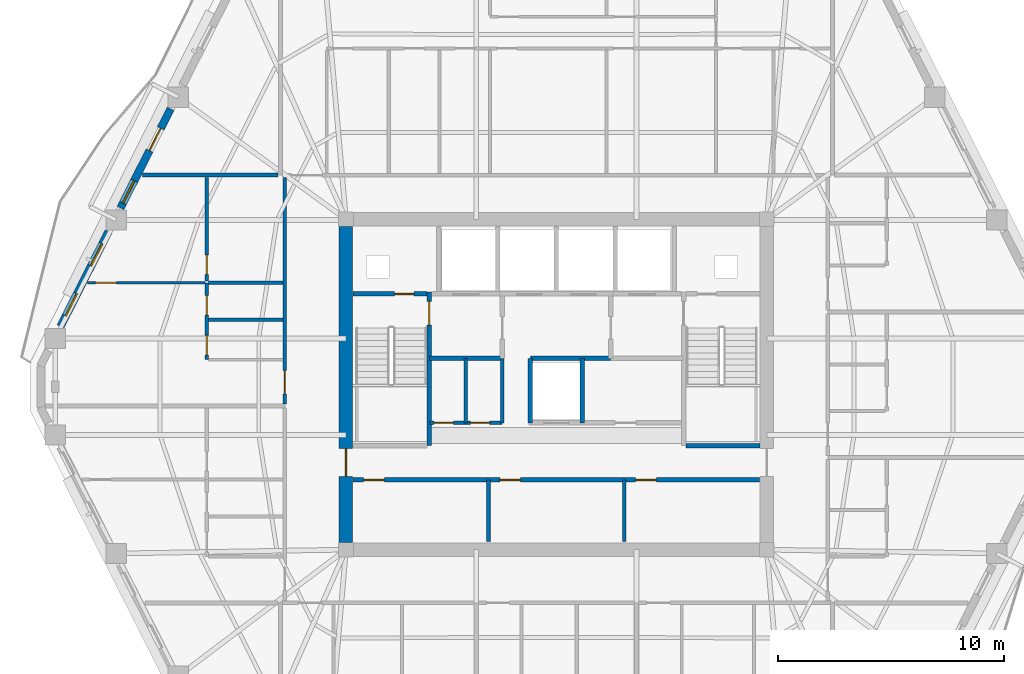
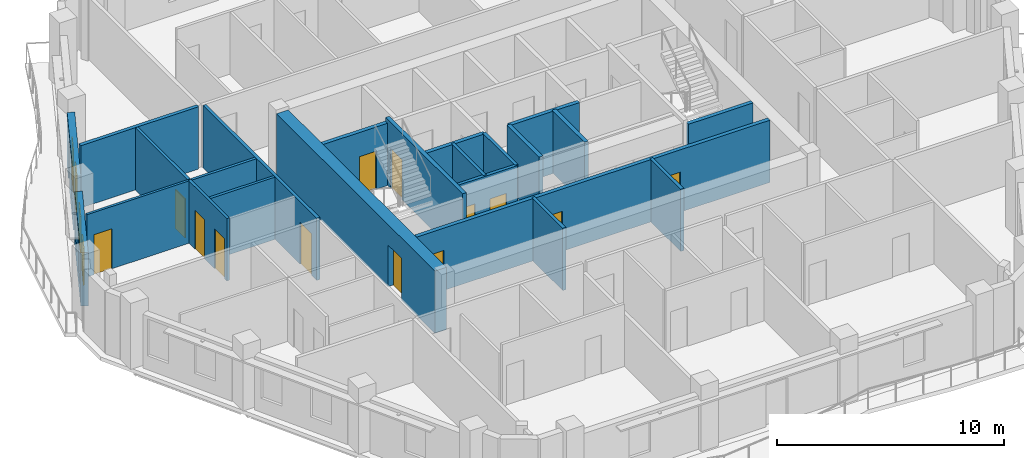
# One storey, part 5 of 12: 23 walls, 14 doors, 3 windows, 17 openings.
"""IFC4 building model written with IfcOpenShell, lengths in metres."""

from ifc_helpers import new_model, si_unit, direction, frame, frame_2d, origin, place, context, subcontext, project, spatial, rectangle, extrude, material, layer, layer_set, type_object, element, fill, save


model = new_model("IFC4")

# Units and contexts
model_context = context("Model", 3, precision=1e-05, world=origin(), true_north=direction((0.0, 1.0)))
body_context = subcontext(model_context, "Body", "Model", "MODEL_VIEW")
ifc_project = project(units=[si_unit("LENGTHUNIT", "METRE"), si_unit("AREAUNIT", "SQUARE_METRE"), si_unit("VOLUMEUNIT", "CUBIC_METRE"), si_unit("PLANEANGLEUNIT", "RADIAN"), si_unit("MASSUNIT", "GRAM", prefix="KILO")], contexts=[model_context])

# Site, building, storey
site_placement = place(None, origin())
site = spatial("IfcSite", under=ifc_project, at=site_placement, CompositionType="ELEMENT")
building_placement = place(site_placement, origin())
building = spatial("IfcBuilding", under=site, at=building_placement, Name="Cinnabar Lancet Tower", CompositionType="ELEMENT")
storey_placement = place(building_placement, frame((0.0, 0.0, 186.10009765625)))
storey = spatial("IfcBuildingStorey", under=building, at=storey_placement, Name="L49", CompositionType="ELEMENT", Elevation=186.10009765625)

# Wall, openings, doors
ifc_material_1 = material(Name="Acoustic twin-stud gypsum partition", Category="gypsum")
ifc_layer_1 = layer(ifc_material_1, 0.159912109375)
ifc_layer_set_1 = layer_set([ifc_layer_1], Name="Acoustic twin-stud gypsum partition")
wall_type_1 = type_object("IfcWallType", Name="ARC-WL-CORR-160", PredefinedType="PARTITIONING", material=ifc_layer_set_1)
wall_1_placement = place(storey_placement, frame((26.800048828125, 24.199951171875, 0.0), z_axis=(0.0, 0.0, 1.0), x_axis=(1.0, 0.0, 0.0)))
wall_1 = element("IfcWall", 1, at=wall_1_placement, inside=storey, type_object=wall_type_1, Name="CW-REC5S-L49", PredefinedType="PARTITIONING", context=body_context, shape_type="SweptSolid", body=[
    extrude(rectangle(XDim=3.199951171875, YDim=0.159912109375, at=frame_2d((1.60009765625, 0.0))), origin(), (0.0, 0.0, 1.0), 3.349853515625),
])
opening_1_placement = place(wall_1_placement, frame((0.199951171875, 0.0, 0.0)))
opening_1 = element("IfcOpeningElement", 2, at=opening_1_placement, cuts=wall_1, Name="Opening PD-02", PredefinedType="OPENING", context=body_context, shape_type="SweptSolid", body=[
    extrude(rectangle(XDim=0.85009765625, YDim=2.050048828125, at=frame_2d((0.425048828125, 1.02490234375))), frame((0.0, 0.08984375, 0.0), z_axis=(0.0, -1.0, 0.0), x_axis=(1.0, 0.0, 0.0)), (0.0, 0.0, 1.0), 0.179931640625),
])
opening_2_placement = place(wall_1_placement, frame((1.800048828125, 0.0, 0.0)))
opening_2 = element("IfcOpeningElement", 3, at=opening_2_placement, cuts=wall_1, Name="Opening PD-02", PredefinedType="OPENING", context=body_context, shape_type="SweptSolid", body=[
    extrude(rectangle(XDim=0.85009765625, YDim=2.050048828125, at=frame_2d((0.425048828125, 1.02490234375))), frame((0.0, 0.08984375, 0.0), z_axis=(0.0, -1.0, 0.0), x_axis=(1.0, 0.0, 0.0)), (0.0, 0.0, 1.0), 0.179931640625),
])
ifc_material_2 = material(Name="Fire-rated steel riser access door", Category="steel")
door_type_1 = type_object("IfcDoorType", Name="ARC-DR-RISER", OperationType="NOTDEFINED", PredefinedType="DOOR", material=ifc_material_2)
door_1_placement = place(opening_1_placement, origin())
door_1 = element("IfcDoor", 4, at=door_1_placement, inside=storey, type_object=door_type_1, Name="DR-L49-REC5A", OperationType="SINGLE_SWING_LEFT", OverallHeight=2.050048828125, OverallWidth=0.85009765625, PredefinedType="DOOR", context=body_context, shape_type="SweptSolid", body=[
    extrude(rectangle(XDim=0.85009765625, YDim=2.050048828125, at=frame_2d((0.425048828125, 1.02490234375))), frame((0.0, 0.02490234375, 0.0), z_axis=(0.0, -1.0, 0.0), x_axis=(1.0, 0.0, 0.0)), (0.0, 0.0, 1.0), 0.050048828125),
])
fill(opening_1, door_1)
door_2_placement = place(opening_2_placement, origin())
door_2 = element("IfcDoor", 5, at=door_2_placement, inside=storey, type_object=door_type_1, Name="DR-L49-REC5B", OperationType="SINGLE_SWING_RIGHT", OverallHeight=2.050048828125, OverallWidth=0.85009765625, PredefinedType="DOOR", context=body_context, shape_type="SweptSolid", body=[
    extrude(rectangle(XDim=0.85009765625, YDim=2.050048828125, at=frame_2d((0.425048828125, 1.02490234375))), frame((0.0, 0.02490234375, 0.0), z_axis=(0.0, -1.0, 0.0), x_axis=(1.0, 0.0, 0.0)), (0.0, 0.0, 1.0), 0.050048828125),
])
fill(opening_2, door_2)

# Walls
for number, where, z_axis, x_axis, name in (
    (6, (30.0, 24.199951171875, 0.0), (0.0, 0.0, 1.0), (0.0, 1.0, 0.0), "CW-REC5E-L49"),
    (7, (28.39990234375, 24.199951171875, 0.0), (0.0, 0.0, 1.0), (0.0, 1.0, 0.0), "CW-REC5D-L49"),
):
    element("IfcWall", number, at=place(storey_placement, frame(where, z_axis=z_axis, x_axis=x_axis)), inside=storey, type_object=wall_type_1, Name=name, PredefinedType="PARTITIONING", context=body_context, shape_type="SweptSolid", body=[
        extrude(rectangle(XDim=2.85009765625, YDim=0.159912109375, at=frame_2d((1.425048828125, 0.0))), origin(), (0.0, 0.0, 1.0), 3.349853515625),
    ])
for number, where, z_axis, x_axis, name in (
    (8, (29.39990234375, 18.949951171875, 0.0), (0.0, 0.0, 1.0), (0.0, 1.0, 0.0), "CW-SB-2940-L49"),
    (9, (35.39990234375, 18.949951171875, 0.0), (0.0, 0.0, 1.0), (0.0, 1.0, 0.0), "CW-SB-3540-L49"),
):
    element("IfcWall", number, at=place(storey_placement, frame(where, z_axis=z_axis, x_axis=x_axis)), inside=storey, type_object=wall_type_1, Name=name, PredefinedType="PARTITIONING", context=body_context, shape_type="SweptSolid", body=[
        extrude(rectangle(XDim=2.72998046875, YDim=0.159912109375, at=frame_2d((1.364990234375, 0.0))), origin(), (0.0, 0.0, 1.0), 3.349853515625),
    ])

# Wall, opening, door
wall_2_placement = place(storey_placement, frame((20.39990234375, 25.0390625, 0.0), z_axis=(0.0, 0.0, 1.0), x_axis=(0.0, 1.0, 0.0)))
wall_2 = element("IfcWall", 10, at=wall_2_placement, inside=storey, type_object=wall_type_1, Name="UW-L49-W02-COR", PredefinedType="PARTITIONING", context=body_context, shape_type="SweptSolid", body=[
    extrude(rectangle(XDim=10.015869140625, YDim=0.159912109375, at=frame_2d((5.0078125, 0.0))), origin(), (0.0, 0.0, 1.0), 3.349853515625),
])
opening_3_placement = place(wall_2_placement, frame((0.449951171875, 0.0, 0.0)))
opening_3 = element("IfcOpeningElement", 11, at=opening_3_placement, cuts=wall_2, Name="Opening UD-01", PredefinedType="OPENING", context=body_context, shape_type="SweptSolid", body=[
    extrude(rectangle(XDim=1.02001953125, YDim=2.25, at=frame_2d((0.510009765625, 1.125))), frame((0.0, 0.08984375, 0.0), z_axis=(0.0, -1.0, 0.0), x_axis=(1.0, 0.0, 0.0)), (0.0, 0.0, 1.0), 0.179931640625),
])
ifc_material_3 = material(Name="Solid timber fire-rated apartment entrance door", Category="wood")
door_type_2 = type_object("IfcDoorType", Name="ARC-DR-UNIT", OperationType="NOTDEFINED", PredefinedType="DOOR", material=ifc_material_3)
door_3_placement = place(opening_3_placement, origin())
door_3 = element("IfcDoor", 12, at=door_3_placement, inside=storey, type_object=door_type_2, Name="DR-L49-W02-ENT", OperationType="SINGLE_SWING_RIGHT", OverallHeight=2.25, OverallWidth=1.02001953125, PredefinedType="DOOR", context=body_context, shape_type="SweptSolid", body=[
    extrude(rectangle(XDim=1.02001953125, YDim=2.25, at=frame_2d((0.510009765625, 1.125))), frame((0.0, 0.02490234375, 0.0), z_axis=(0.0, -1.0, 0.0), x_axis=(1.0, 0.0, 0.0)), (0.0, 0.0, 1.0), 0.050048828125),
])
fill(opening_3, door_3)

# Walls
ifc_material_4 = material(Name="Fire-rated twin-frame acoustic drywall", Category="gypsum")
ifc_layer_2 = layer(ifc_material_4, 0.179931640625)
ifc_layer_set_2 = layer_set([ifc_layer_2], Name="Fire-rated twin-frame acoustic drywall")
wall_type_2 = type_object("IfcWallType", Name="ARC-WL-PARTY-180", PredefinedType="PARTITIONING", material=ifc_layer_set_2)
wall_3_placement = place(storey_placement, frame((14.110107421875, 35.14990234375, 0.0), z_axis=(0.0, 0.0, 1.0), x_axis=(1.0, 0.0, 0.0)))
element("IfcWall", 13, at=wall_3_placement, inside=storey, type_object=wall_type_2, Name="PW-L49-WNB", PredefinedType="PARTITIONING", context=body_context, shape_type="SweptSolid", body=[
    extrude(rectangle(XDim=5.994873046875, YDim=0.179931640625, at=frame_2d((2.99755859375, 0.0))), origin(), (0.0, 0.0, 1.0), 3.349853515625),
])
ifc_material_5 = material(Name="Autoclaved aerated concrete blockwork", Category="masonry")
ifc_layer_3 = layer(ifc_material_5, 0.199951171875)
ifc_layer_set_3 = layer_set([ifc_layer_3], Name="Autoclaved aerated concrete blockwork")
wall_type_3 = type_object("IfcWallType", Name="ARC-WL-SHAFT-200", PredefinedType="PLUMBINGWALL", material=ifc_layer_set_3)
wall_4_placement = place(storey_placement, frame((38.125, 23.199951171875, 0.0), z_axis=(0.0, 0.0, 1.0), x_axis=(1.0, 0.0, 0.0)))
element("IfcWall", 14, at=wall_4_placement, inside=storey, type_object=wall_type_3, Name="CW-ST2S-L49", PredefinedType="PLUMBINGWALL", context=body_context, shape_type="SweptSolid", body=[
    extrude(rectangle(XDim=3.27001953125, YDim=0.199951171875, at=frame_2d((1.635009765625, 0.0))), origin(), (0.0, 0.0, 1.0), 3.349853515625),
])

# Wall, opening, door
wall_5_placement = place(storey_placement, frame((23.405029296875, 29.89990234375, 0.0), z_axis=(0.0, 0.0, 1.0), x_axis=(1.0, 0.0, 0.0)))
wall_5 = element("IfcWall", 15, at=wall_5_placement, inside=storey, type_object=wall_type_3, Name="CW-NSH-W-L49", PredefinedType="PLUMBINGWALL", context=body_context, shape_type="SweptSolid", body=[
    extrude(rectangle(XDim=3.27001953125, YDim=0.199951171875, at=frame_2d((1.635009765625, 0.0))), origin(), (0.0, 0.0, 1.0), 3.349853515625),
])
opening_4_placement = place(wall_5_placement, frame((1.85009765625, 0.0, 0.0)))
opening_4 = element("IfcOpeningElement", 16, at=opening_4_placement, cuts=wall_5, Name="Opening PD-02", PredefinedType="OPENING", context=body_context, shape_type="SweptSolid", body=[
    extrude(rectangle(XDim=0.85009765625, YDim=2.050048828125, at=frame_2d((0.425048828125, 1.02490234375))), frame((0.0, 0.10986328125, 0.0), z_axis=(0.0, -1.0, 0.0), x_axis=(1.0, 0.0, 0.0)), (0.0, 0.0, 1.0), 0.219970703125),
])
door_4_placement = place(opening_4_placement, origin())
door_4 = element("IfcDoor", 17, at=door_4_placement, inside=storey, type_object=door_type_1, Name="L49 West Riser Access Door", OperationType="SINGLE_SWING_LEFT", OverallHeight=2.050048828125, OverallWidth=0.85009765625, PredefinedType="DOOR", context=body_context, shape_type="SweptSolid", body=[
    extrude(rectangle(XDim=0.85009765625, YDim=2.050048828125, at=frame_2d((0.425048828125, 1.02490234375))), frame((0.0, 0.02490234375, 0.0), z_axis=(0.0, -1.0, 0.0), x_axis=(1.0, 0.0, 0.0)), (0.0, 0.0, 1.0), 0.050048828125),
])
fill(opening_4, door_4)

# Walls
wall_6_placement = place(storey_placement, frame((26.800048828125, 27.050048828125, 0.0), z_axis=(0.0, 0.0, 1.0), x_axis=(1.0, 0.0, 0.0)))
element("IfcWall", 18, at=wall_6_placement, inside=storey, type_object=wall_type_3, Name="CW-FF1S-L49", PredefinedType="PLUMBINGWALL", context=body_context, shape_type="SweptSolid", body=[
    extrude(rectangle(XDim=3.199951171875, YDim=0.199951171875, at=frame_2d((1.60009765625, 0.0))), origin(), (0.0, 0.0, 1.0), 3.349853515625),
])
for number, where, z_axis, x_axis, name in (
    (19, (31.25, 24.199951171875, 0.0), (0.0, 0.0, 1.0), (0.0, 1.0, 0.0), "CW-PL9W-L49"),
    (20, (33.550048828125, 24.199951171875, 0.0), (0.0, 0.0, 1.0), (0.0, 1.0, 0.0), "CW-PL9E-L49"),
):
    element("IfcWall", number, at=place(storey_placement, frame(where, z_axis=z_axis, x_axis=x_axis)), inside=storey, type_object=wall_type_3, Name=name, PredefinedType="PLUMBINGWALL", context=body_context, shape_type="SweptSolid", body=[
        extrude(rectangle(XDim=2.85009765625, YDim=0.199951171875, at=frame_2d((1.425048828125, 0.0))), origin(), (0.0, 0.0, 1.0), 3.349853515625),
    ])
wall_7_placement = place(storey_placement, frame((31.25, 27.050048828125, 0.0), z_axis=(0.0, 0.0, 1.0), x_axis=(1.0, 0.0, 0.0)))
element("IfcWall", 21, at=wall_7_placement, inside=storey, type_object=wall_type_3, Name="CW-PL96N-L49", PredefinedType="PLUMBINGWALL", context=body_context, shape_type="SweptSolid", body=[
    extrude(rectangle(XDim=3.550048828125, YDim=0.199951171875, at=frame_2d((1.77490234375, 0.0))), origin(), (0.0, 0.0, 1.0), 3.349853515625),
])

# Wall, openings, doors
wall_8_placement = place(storey_placement, frame((23.419921875, 21.679931640625, 0.0), z_axis=(0.0, 0.0, 1.0), x_axis=(1.0, 0.0, 0.0)))
wall_8 = element("IfcWall", 22, at=wall_8_placement, inside=storey, type_object=wall_type_3, Name="CW-SBANDN-L49", PredefinedType="PLUMBINGWALL", context=body_context, shape_type="SweptSolid", body=[
    extrude(rectangle(XDim=17.9599609375, YDim=0.199951171875, at=frame_2d((8.97998046875, 0.0))), origin(), (0.0, 0.0, 1.0), 3.349853515625),
])
opening_5_placement = place(wall_8_placement, frame((0.4599609375, 0.0, 0.0)))
opening_5 = element("IfcOpeningElement", 23, at=opening_5_placement, cuts=wall_8, Name="Opening RD-01", PredefinedType="OPENING", context=body_context, shape_type="SweptSolid", body=[
    extrude(rectangle(XDim=0.919921875, YDim=2.14990234375, at=frame_2d((0.4599609375, 1.074951171875))), frame((0.0, 0.10986328125, 0.0), z_axis=(0.0, -1.0, 0.0), x_axis=(1.0, 0.0, 0.0)), (0.0, 0.0, 1.0), 0.219970703125),
])
opening_6_placement = place(wall_8_placement, frame((6.47998046875, 0.0, 0.0)))
opening_6 = element("IfcOpeningElement", 24, at=opening_6_placement, cuts=wall_8, Name="Opening RD-01", PredefinedType="OPENING", context=body_context, shape_type="SweptSolid", body=[
    extrude(rectangle(XDim=0.919921875, YDim=2.14990234375, at=frame_2d((0.4599609375, 1.074951171875))), frame((0.0, 0.10986328125, 0.0), z_axis=(0.0, -1.0, 0.0), x_axis=(1.0, 0.0, 0.0)), (0.0, 0.0, 1.0), 0.219970703125),
])
opening_7_placement = place(wall_8_placement, frame((12.47998046875, 0.0, 0.0)))
opening_7 = element("IfcOpeningElement", 25, at=opening_7_placement, cuts=wall_8, Name="Opening RD-01", PredefinedType="OPENING", context=body_context, shape_type="SweptSolid", body=[
    extrude(rectangle(XDim=0.919921875, YDim=2.14990234375, at=frame_2d((0.4599609375, 1.074951171875))), frame((0.0, 0.10986328125, 0.0), z_axis=(0.0, -1.0, 0.0), x_axis=(1.0, 0.0, 0.0)), (0.0, 0.0, 1.0), 0.219970703125),
])
ifc_material_6 = material(Name="Engineered timber bedroom door", Category="wood")
door_type_3 = type_object("IfcDoorType", Name="ARC-DR-ROOM", OperationType="NOTDEFINED", PredefinedType="DOOR", material=ifc_material_6)
door_5_placement = place(opening_5_placement, origin())
door_5 = element("IfcDoor", 26, at=door_5_placement, inside=storey, type_object=door_type_3, Name="DR-L49-HREC1", OperationType="SINGLE_SWING_LEFT", OverallHeight=2.14990234375, OverallWidth=0.919921875, PredefinedType="DOOR", context=body_context, shape_type="SweptSolid", body=[
    extrude(rectangle(XDim=0.919921875, YDim=2.14990234375, at=frame_2d((0.4599609375, 1.074951171875))), frame((0.0, 0.02490234375, 0.0), z_axis=(0.0, -1.0, 0.0), x_axis=(1.0, 0.0, 0.0)), (0.0, 0.0, 1.0), 0.050048828125),
])
fill(opening_5, door_5)
door_6_placement = place(opening_6_placement, origin())
door_6 = element("IfcDoor", 27, at=door_6_placement, inside=storey, type_object=door_type_3, Name="DR-L49-HREC2", OperationType="SINGLE_SWING_RIGHT", OverallHeight=2.14990234375, OverallWidth=0.919921875, PredefinedType="DOOR", context=body_context, shape_type="SweptSolid", body=[
    extrude(rectangle(XDim=0.919921875, YDim=2.14990234375, at=frame_2d((0.4599609375, 1.074951171875))), frame((0.0, 0.02490234375, 0.0), z_axis=(0.0, -1.0, 0.0), x_axis=(1.0, 0.0, 0.0)), (0.0, 0.0, 1.0), 0.050048828125),
])
fill(opening_6, door_6)
door_7_placement = place(opening_7_placement, origin())
door_7 = element("IfcDoor", 28, at=door_7_placement, inside=storey, type_object=door_type_3, Name="DR-L49-HREC3", OperationType="SINGLE_SWING_LEFT", OverallHeight=2.14990234375, OverallWidth=0.919921875, PredefinedType="DOOR", context=body_context, shape_type="SweptSolid", body=[
    extrude(rectangle(XDim=0.919921875, YDim=2.14990234375, at=frame_2d((0.4599609375, 1.074951171875))), frame((0.0, 0.02490234375, 0.0), z_axis=(0.0, -1.0, 0.0), x_axis=(1.0, 0.0, 0.0)), (0.0, 0.0, 1.0), 0.050048828125),
])
fill(opening_7, door_7)

# Wall, opening, door
ifc_material_7 = material(Name="Gypsum plasterboard stud partition", Category="gypsum")
ifc_layer_4 = layer(ifc_material_7, 0.125)
ifc_layer_set_4 = layer_set([ifc_layer_4], Name="Gypsum plasterboard stud partition")
wall_type_4 = type_object("IfcWallType", Name="ARC-WL-UNIT-125", PredefinedType="PARTITIONING", material=ifc_layer_set_4)
wall_9_placement = place(storey_placement, frame((11.68798828125, 30.39404296875, 0.0), z_axis=(0.0, 0.0, 1.0), x_axis=(1.0, 0.0, 0.0)))
wall_9 = element("IfcWall", 29, at=wall_9_placement, inside=storey, type_object=wall_type_4, Name="UW-L49-W02-MBN", PredefinedType="PARTITIONING", context=body_context, shape_type="SweptSolid", body=[
    extrude(rectangle(XDim=5.18701171875, YDim=0.125, at=frame_2d((2.593505859375, 0.0))), origin(), (0.0, 0.0, 1.0), 3.349853515625),
])
opening_8_placement = place(wall_9_placement, frame((0.35009765625, 0.0, 0.0)))
opening_8 = element("IfcOpeningElement", 30, at=opening_8_placement, cuts=wall_9, Name="Opening RD-01", PredefinedType="OPENING", context=body_context, shape_type="SweptSolid", body=[
    extrude(rectangle(XDim=0.919921875, YDim=2.14990234375, at=frame_2d((0.4599609375, 1.074951171875))), frame((0.0, 0.072509765625, 0.0), z_axis=(0.0, -1.0, 0.0), x_axis=(1.0, 0.0, 0.0)), (0.0, 0.0, 1.0), 0.14501953125),
])
door_8_placement = place(opening_8_placement, origin())
door_8 = element("IfcDoor", 31, at=door_8_placement, inside=storey, type_object=door_type_3, Name="DR-L49-W02-MBD", OperationType="SINGLE_SWING_RIGHT", OverallHeight=2.14990234375, OverallWidth=0.919921875, PredefinedType="DOOR", context=body_context, shape_type="SweptSolid", body=[
    extrude(rectangle(XDim=0.919921875, YDim=2.14990234375, at=frame_2d((0.4599609375, 1.074951171875))), frame((0.0, 0.02490234375, 0.0), z_axis=(0.0, -1.0, 0.0), x_axis=(1.0, 0.0, 0.0)), (0.0, 0.0, 1.0), 0.050048828125),
])
fill(opening_8, door_8)

# Wall, openings, doors
ifc_material_8 = material(Name="Moisture-resistant cement-board plumbing wall", Category="masonry")
ifc_layer_5 = layer(ifc_material_8, 0.139892578125)
ifc_layer_set_5 = layer_set([ifc_layer_5], Name="Moisture-resistant cement-board plumbing wall")
wall_type_5 = type_object("IfcWallType", Name="ARC-WL-WET-140", PredefinedType="PLUMBINGWALL", material=ifc_layer_set_5)
wall_10_placement = place(storey_placement, frame((16.949951171875, 26.993896484375, 0.0), z_axis=(0.0, 0.0, 1.0), x_axis=(0.0, 1.0, 0.0)))
wall_10 = element("IfcWall", 32, at=wall_10_placement, inside=storey, type_object=wall_type_5, Name="UW-L49-W02-SPL", PredefinedType="PLUMBINGWALL", context=body_context, shape_type="SweptSolid", body=[
    extrude(rectangle(XDim=3.400146484375, YDim=0.139892578125, at=frame_2d((1.7001953125, 0.0))), origin(), (0.0, 0.0, 1.0), 3.349853515625),
])
opening_9_placement = place(wall_10_placement, frame((0.199951171875, 0.0, 0.0)))
opening_9 = element("IfcOpeningElement", 33, at=opening_9_placement, cuts=wall_10, Name="Opening RD-02", PredefinedType="OPENING", context=body_context, shape_type="SweptSolid", body=[
    extrude(rectangle(XDim=0.8798828125, YDim=2.14990234375, at=frame_2d((0.43994140625, 1.074951171875))), frame((0.0, 0.079833984375, 0.0), z_axis=(0.0, -1.0, 0.0), x_axis=(1.0, 0.0, 0.0)), (0.0, 0.0, 1.0), 0.159912109375),
])
opening_10_placement = place(wall_10_placement, frame((1.968017578125, 0.0, 0.0)))
opening_10 = element("IfcOpeningElement", 34, at=opening_10_placement, cuts=wall_10, Name="Opening BD-01", PredefinedType="OPENING", context=body_context, shape_type="SweptSolid", body=[
    extrude(rectangle(XDim=0.860107421875, YDim=2.10009765625, at=frame_2d((0.43017578125, 1.050048828125))), frame((0.0, 0.079833984375, 0.0), z_axis=(0.0, -1.0, 0.0), x_axis=(1.0, 0.0, 0.0)), (0.0, 0.0, 1.0), 0.159912109375),
])
ifc_material_9 = material(Name="Moisture-resistant timber bathroom door", Category="wood")
door_type_4 = type_object("IfcDoorType", Name="ARC-DR-BATH", OperationType="NOTDEFINED", PredefinedType="DOOR", material=ifc_material_9)
door_9_placement = place(opening_10_placement, origin())
door_9 = element("IfcDoor", 35, at=door_9_placement, inside=storey, type_object=door_type_4, Name="DR-L49-W02-BTH", OperationType="SINGLE_SWING_RIGHT", OverallHeight=2.10009765625, OverallWidth=0.860107421875, PredefinedType="DOOR", context=body_context, shape_type="SweptSolid", body=[
    extrude(rectangle(XDim=0.860107421875, YDim=2.10009765625, at=frame_2d((0.43017578125, 1.050048828125))), frame((0.0, 0.02490234375, 0.0), z_axis=(0.0, -1.0, 0.0), x_axis=(1.0, 0.0, 0.0)), (0.0, 0.0, 1.0), 0.050048828125),
])
fill(opening_10, door_9)
ifc_material_10 = material(Name="Engineered timber study door", Category="wood")
door_type_5 = type_object("IfcDoorType", Name="ARC-DR-STUDY", OperationType="NOTDEFINED", PredefinedType="DOOR", material=ifc_material_10)
door_10_placement = place(opening_9_placement, origin())
door_10 = element("IfcDoor", 36, at=door_10_placement, inside=storey, type_object=door_type_5, Name="DR-L49-W02-KIT", OperationType="SINGLE_SWING_LEFT", OverallHeight=2.14990234375, OverallWidth=0.8798828125, PredefinedType="DOOR", context=body_context, shape_type="SweptSolid", body=[
    extrude(rectangle(XDim=0.8798828125, YDim=2.14990234375, at=frame_2d((0.43994140625, 1.074951171875))), frame((0.0, 0.02490234375, 0.0), z_axis=(0.0, -1.0, 0.0), x_axis=(1.0, 0.0, 0.0)), (0.0, 0.0, 1.0), 0.050048828125),
])
fill(opening_9, door_10)

# Wall, opening, door
wall_11_placement = place(storey_placement, frame((16.949951171875, 30.464111328125, 0.0), z_axis=(0.0, 0.0, 1.0), x_axis=(0.0, 1.0, 0.0)))
wall_11 = element("IfcWall", 37, at=wall_11_placement, inside=storey, type_object=wall_type_5, Name="UW-L49-W02-SPM", PredefinedType="PLUMBINGWALL", context=body_context, shape_type="SweptSolid", body=[
    extrude(rectangle(XDim=4.5908203125, YDim=0.139892578125, at=frame_2d((2.29541015625, 0.0))), origin(), (0.0, 0.0, 1.0), 3.349853515625),
])
opening_11_placement = place(wall_11_placement, frame((0.300048828125, 0.0, 0.0)))
opening_11 = element("IfcOpeningElement", 38, at=opening_11_placement, cuts=wall_11, Name="Opening BD-01", PredefinedType="OPENING", context=body_context, shape_type="SweptSolid", body=[
    extrude(rectangle(XDim=0.860107421875, YDim=2.10009765625, at=frame_2d((0.43017578125, 1.050048828125))), frame((0.0, 0.079833984375, 0.0), z_axis=(0.0, -1.0, 0.0), x_axis=(1.0, 0.0, 0.0)), (0.0, 0.0, 1.0), 0.159912109375),
])
door_11_placement = place(opening_11_placement, origin())
door_11 = element("IfcDoor", 39, at=door_11_placement, inside=storey, type_object=door_type_4, Name="DR-L49-W02-ENS", OperationType="SINGLE_SWING_RIGHT", OverallHeight=2.10009765625, OverallWidth=0.860107421875, PredefinedType="DOOR", context=body_context, shape_type="SweptSolid", body=[
    extrude(rectangle(XDim=0.860107421875, YDim=2.10009765625, at=frame_2d((0.43017578125, 1.050048828125))), frame((0.0, 0.02490234375, 0.0), z_axis=(0.0, -1.0, 0.0), x_axis=(1.0, 0.0, 0.0)), (0.0, 0.0, 1.0), 0.050048828125),
])
fill(opening_11, door_11)

# Walls
for number, where, z_axis, x_axis, name in (
    (40, (17.034912109375, 30.39404296875, 0.0), (0.0, 0.0, 1.0), (1.0, 0.0, 0.0), "UW-L49-W02-ENSN"),
    (41, (17.034912109375, 28.761962890625, 0.0), (0.0, 0.0, 1.0), (1.0, 0.0, 0.0), "UW-L49-W02-KDV"),
):
    element("IfcWall", number, at=place(storey_placement, frame(where, z_axis=z_axis, x_axis=x_axis)), inside=storey, type_object=wall_type_5, Name=name, PredefinedType="PLUMBINGWALL", context=body_context, shape_type="SweptSolid", body=[
        extrude(rectangle(XDim=3.280029296875, YDim=0.139892578125, at=frame_2d((1.64013671875, 0.0))), origin(), (0.0, 0.0, 1.0), 3.349853515625),
    ])

# Wall, openings, door, window
ifc_material_11 = material(Name="Cinnabar red clay brick", Category="masonry")
ifc_layer_6 = layer(ifc_material_11, 0.340087890625)
ifc_layer_set_6 = layer_set([ifc_layer_6], Name="Cinnabar red clay brick")
wall_type_6 = type_object("IfcWallType", Name="ENV-WL-BRK-RED-340", PredefinedType="STANDARD", material=ifc_layer_set_6)
wall_12_placement = place(storey_placement, frame((15.35205078125, 38.0830078125, 0.0), z_axis=(0.0, 0.0, 1.0), x_axis=(-0.451524246964, -0.89225884944, 0.0)))
wall_12 = element("IfcWall", 42, at=wall_12_placement, inside=storey, type_object=wall_type_6, Name="L49 Face 5 Masonry Bay Wall 3", PredefinedType="STANDARD", context=body_context, shape_type="SweptSolid", body=[
    extrude(rectangle(XDim=4.91015625, YDim=0.340087890625, at=frame_2d((2.455078125, 0.0))), origin(), (0.0, 0.0, 1.0), 2.8828125),
])
opening_12_placement = place(wall_12_placement, frame((0.968017578125, 0.0, 0.0)))
opening_12 = element("IfcOpeningElement", 43, at=opening_12_placement, cuts=wall_12, Name="Opening TD-01", PredefinedType="OPENING", context=body_context, shape_type="SweptSolid", body=[
    extrude(rectangle(XDim=1.10009765625, YDim=2.25, at=frame_2d((0.550048828125, 1.125))), frame((0.0, 0.179931640625, 0.0), z_axis=(0.0, -1.0, 0.0), x_axis=(1.0, 0.0, 0.0)), (0.0, 0.0, 1.0), 0.360107421875),
])
opening_13_placement = place(wall_12_placement, frame((3.569091796875, 0.0, 0.75)))
opening_13 = element("IfcOpeningElement", 44, at=opening_13_placement, cuts=wall_12, Name="Opening WN-04", PredefinedType="OPENING", context=body_context, shape_type="SweptSolid", body=[
    extrude(rectangle(XDim=1.10009765625, YDim=1.98291015625, at=frame_2d((0.550048828125, 0.991455078125))), frame((0.0, 0.179931640625, 0.0), z_axis=(0.0, -1.0, 0.0), x_axis=(1.0, 0.0, 0.0)), (0.0, 0.0, 1.0), 0.360107421875),
])
ifc_material_12 = material(Name="Thermally broken low-E glazed balcony terrace door", Category="wood")
door_type_6 = type_object("IfcDoorType", Name="ARC-DR-BALC", OperationType="NOTDEFINED", PredefinedType="DOOR", material=ifc_material_12)
door_12_placement = place(opening_12_placement, origin())
door_12 = element("IfcDoor", 45, at=door_12_placement, inside=storey, type_object=door_type_6, Name="L49 Face 5 Glazed Terrace Door", OperationType="SINGLE_SWING_LEFT", OverallHeight=2.25, OverallWidth=1.10009765625, PredefinedType="DOOR", context=body_context, shape_type="SweptSolid", body=[
    extrude(rectangle(XDim=1.10009765625, YDim=2.25, at=frame_2d((0.550048828125, 1.125))), frame((0.0, 0.02490234375, 0.0), z_axis=(0.0, -1.0, 0.0), x_axis=(1.0, 0.0, 0.0)), (0.0, 0.0, 1.0), 0.050048828125),
])
fill(opening_12, door_12)
ifc_material_13 = material(Name="Thermally broken bronze-anodized aluminium tall lancet window", Category="aluminium")
window_type = type_object("IfcWindowType", Name="ENV-WN-LANCET-1100", PartitioningType="SINGLE_PANEL", PredefinedType="WINDOW", material=ifc_material_13)
window_1_placement = place(opening_13_placement, origin())
window_1 = element("IfcWindow", 46, at=window_1_placement, inside=storey, type_object=window_type, Name="L49 Split-Bay Gothic Lancet Window 156", OverallHeight=1.98291015625, OverallWidth=1.10009765625, PartitioningType="SINGLE_PANEL", PredefinedType="WINDOW", context=body_context, shape_type="SweptSolid", body=[
    extrude(rectangle(XDim=1.10009765625, YDim=1.98291015625, at=frame_2d((0.550048828125, 0.991455078125))), frame((0.0, 0.030029296875, 0.0), z_axis=(0.0, -1.0, 0.0), x_axis=(1.0, 0.0, 0.0)), (0.0, 0.0, 1.0), 0.06005859375),
])
fill(opening_13, window_1)

# Wall, openings, windows
wall_13_placement = place(storey_placement, frame((12.60693359375, 32.656982421875, 0.0), z_axis=(0.0, 0.0, 1.0), x_axis=(-0.451426298588, -0.892308409096, 0.0)))
wall_13 = element("IfcWall", 47, at=wall_13_placement, inside=storey, type_object=wall_type_6, Name="L49 Face 5 Masonry Bay Wall 4", PredefinedType="STANDARD", context=body_context, shape_type="SweptSolid", body=[
    extrude(rectangle(XDim=4.7001953125, YDim=0.340087890625, at=frame_2d((2.35009765625, 0.0))), origin(), (0.0, 0.0, 1.0), 2.8828125),
])
opening_14_placement = place(wall_13_placement, frame((0.60693359375, 0.0, 0.75)))
opening_14 = element("IfcOpeningElement", 48, at=opening_14_placement, cuts=wall_13, Name="Opening WN-04", PredefinedType="OPENING", context=body_context, shape_type="SweptSolid", body=[
    extrude(rectangle(XDim=1.10009765625, YDim=1.98291015625, at=frame_2d((0.550048828125, 0.991455078125))), frame((0.0, 0.179931640625, 0.0), z_axis=(0.0, -1.0, 0.0), x_axis=(1.0, 0.0, 0.0)), (0.0, 0.0, 1.0), 0.360107421875),
])
opening_15_placement = place(wall_13_placement, frame((3.076904296875, 0.0, 0.75)))
opening_15 = element("IfcOpeningElement", 49, at=opening_15_placement, cuts=wall_13, Name="Opening WN-04", PredefinedType="OPENING", context=body_context, shape_type="SweptSolid", body=[
    extrude(rectangle(XDim=1.10009765625, YDim=1.98291015625, at=frame_2d((0.550048828125, 0.991455078125))), frame((0.0, 0.179931640625, 0.0), z_axis=(0.0, -1.0, 0.0), x_axis=(1.0, 0.0, 0.0)), (0.0, 0.0, 1.0), 0.360107421875),
])
window_2_placement = place(opening_14_placement, origin())
window_2 = element("IfcWindow", 50, at=window_2_placement, inside=storey, type_object=window_type, Name="L49 Face 5 Gothic Lancet Window 4", OverallHeight=1.98291015625, OverallWidth=1.10009765625, PartitioningType="SINGLE_PANEL", PredefinedType="WINDOW", context=body_context, shape_type="SweptSolid", body=[
    extrude(rectangle(XDim=1.10009765625, YDim=1.98291015625, at=frame_2d((0.550048828125, 0.991455078125))), frame((0.0, 0.030029296875, 0.0), z_axis=(0.0, -1.0, 0.0), x_axis=(1.0, 0.0, 0.0)), (0.0, 0.0, 1.0), 0.06005859375),
])
fill(opening_14, window_2)
window_3_placement = place(opening_15_placement, origin())
window_3 = element("IfcWindow", 51, at=window_3_placement, inside=storey, type_object=window_type, Name="L49 Split-Bay Gothic Lancet Window 157", OverallHeight=1.98291015625, OverallWidth=1.10009765625, PartitioningType="SINGLE_PANEL", PredefinedType="WINDOW", context=body_context, shape_type="SweptSolid", body=[
    extrude(rectangle(XDim=1.10009765625, YDim=1.98291015625, at=frame_2d((0.550048828125, 0.991455078125))), frame((0.0, 0.030029296875, 0.0), z_axis=(0.0, -1.0, 0.0), x_axis=(1.0, 0.0, 0.0)), (0.0, 0.0, 1.0), 0.06005859375),
])
fill(opening_15, window_3)

# Wall, opening, door
ifc_material_14 = material(Name="Concrete C60/75", Category="concrete")
ifc_layer_7 = layer(ifc_material_14, 0.60009765625)
ifc_layer_set_7 = layer_set([ifc_layer_7], Name="Concrete C60/75")
wall_type_7 = type_object("IfcWallType", Name="STR-WL-CORE-600", PredefinedType="SHEAR", material=ifc_layer_set_7)
wall_14_placement = place(storey_placement, frame((23.10009765625, 18.925048828125, 0.0), z_axis=(0.0, 0.0, 1.0), x_axis=(0.0, 1.0, 0.0)))
wall_14 = element("IfcWall", 52, at=wall_14_placement, inside=storey, type_object=wall_type_7, Name="L49 Core Shear Wall W", PredefinedType="SHEAR", context=body_context, shape_type="SweptSolid", body=[
    extrude(rectangle(XDim=13.949951171875, YDim=0.60009765625, at=frame_2d((6.97509765625, 0.0))), origin(), (0.0, 0.0, 1.0), 3.349853515625),
])
opening_16_placement = place(wall_14_placement, frame((2.9150390625, 0.0, 0.0)))
opening_16 = element("IfcOpeningElement", 53, at=opening_16_placement, cuts=wall_14, Name="Opening FD-02", PredefinedType="OPENING", context=body_context, shape_type="SweptSolid", body=[
    extrude(rectangle(XDim=1.219970703125, YDim=2.25, at=frame_2d((0.60986328125, 1.125))), frame((0.0, 0.31005859375, 0.0), z_axis=(0.0, -1.0, 0.0), x_axis=(1.0, 0.0, 0.0)), (0.0, 0.0, 1.0), 0.6201171875),
])
ifc_material_15 = material(Name="Fire-rated double-vision core portal door", Category="wood")
door_type_7 = type_object("IfcDoorType", Name="ARC-DR-CPORT", OperationType="NOTDEFINED", PredefinedType="DOOR", material=ifc_material_15)
door_13_placement = place(opening_16_placement, origin())
door_13 = element("IfcDoor", 54, at=door_13_placement, inside=storey, type_object=door_type_7, Name="L49 West Core Lobby Fire Door", OperationType="SINGLE_SWING_RIGHT", OverallHeight=2.25, OverallWidth=1.219970703125, PredefinedType="DOOR", context=body_context, shape_type="SweptSolid", body=[
    extrude(rectangle(XDim=1.219970703125, YDim=2.25, at=frame_2d((0.60986328125, 1.125))), frame((0.0, 0.02490234375, 0.0), z_axis=(0.0, -1.0, 0.0), x_axis=(1.0, 0.0, 0.0)), (0.0, 0.0, 1.0), 0.050048828125),
])
fill(opening_16, door_13)

ifc_material_16 = material(Name="Concrete C50/60", Category="concrete")
ifc_layer_8 = layer(ifc_material_16, 0.199951171875)
ifc_layer_set_8 = layer_set([ifc_layer_8], Name="Concrete C50/60")
wall_type_8 = type_object("IfcWallType", Name="STR-WL-STAIR-200", PredefinedType="SHEAR", material=ifc_layer_set_8)
wall_15_placement = place(storey_placement, frame((26.780029296875, 23.199951171875, 0.0), z_axis=(0.0, 0.0, 1.0), x_axis=(0.0, 1.0, 0.0)))
wall_15 = element("IfcWall", 55, at=wall_15_placement, inside=storey, type_object=wall_type_8, Name="L49 Stair ST-1 Structural Enclosure Wall", PredefinedType="SHEAR", context=body_context, shape_type="SweptSolid", body=[
    extrude(rectangle(XDim=6.780029296875, YDim=0.199951171875, at=frame_2d((3.39013671875, 0.0))), origin(), (0.0, 0.0, 1.0), 3.5498046875),
])
opening_17_placement = place(wall_15_placement, frame((5.320068359375, 0.0, 0.0)))
opening_17 = element("IfcOpeningElement", 56, at=opening_17_placement, cuts=wall_15, Name="Opening SD-01", PredefinedType="OPENING", context=body_context, shape_type="SweptSolid", body=[
    extrude(rectangle(XDim=1.050048828125, YDim=2.14990234375, at=frame_2d((0.52490234375, 1.074951171875))), frame((0.0, 0.10986328125, 0.0), z_axis=(0.0, -1.0, 0.0), x_axis=(1.0, 0.0, 0.0)), (0.0, 0.0, 1.0), 0.219970703125),
])
ifc_material_17 = material(Name="Fire-rated steel stair exit door", Category="steel")
door_type_8 = type_object("IfcDoorType", Name="ARC-DR-STAIR", OperationType="NOTDEFINED", PredefinedType="DOOR", material=ifc_material_17)
door_14_placement = place(opening_17_placement, origin())
door_14 = element("IfcDoor", 57, at=door_14_placement, inside=storey, type_object=door_type_8, Name="L49 Stair ST-1 Fire Door", OperationType="SINGLE_SWING_LEFT", OverallHeight=2.14990234375, OverallWidth=1.050048828125, PredefinedType="DOOR", context=body_context, shape_type="SweptSolid", body=[
    extrude(rectangle(XDim=1.050048828125, YDim=2.14990234375, at=frame_2d((0.52490234375, 1.074951171875))), frame((0.0, 0.02490234375, 0.0), z_axis=(0.0, -1.0, 0.0), x_axis=(1.0, 0.0, 0.0)), (0.0, 0.0, 1.0), 0.050048828125),
])
fill(opening_17, door_14)

save(model, "model.ifc")
